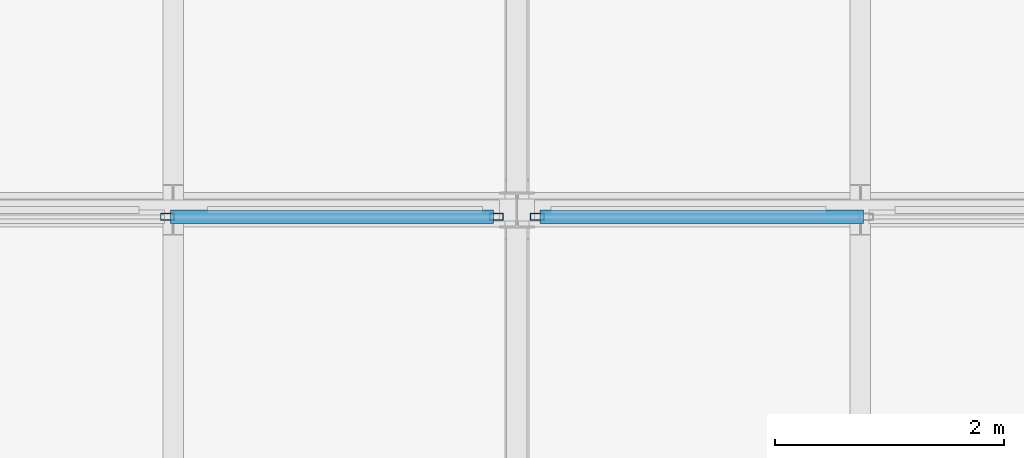
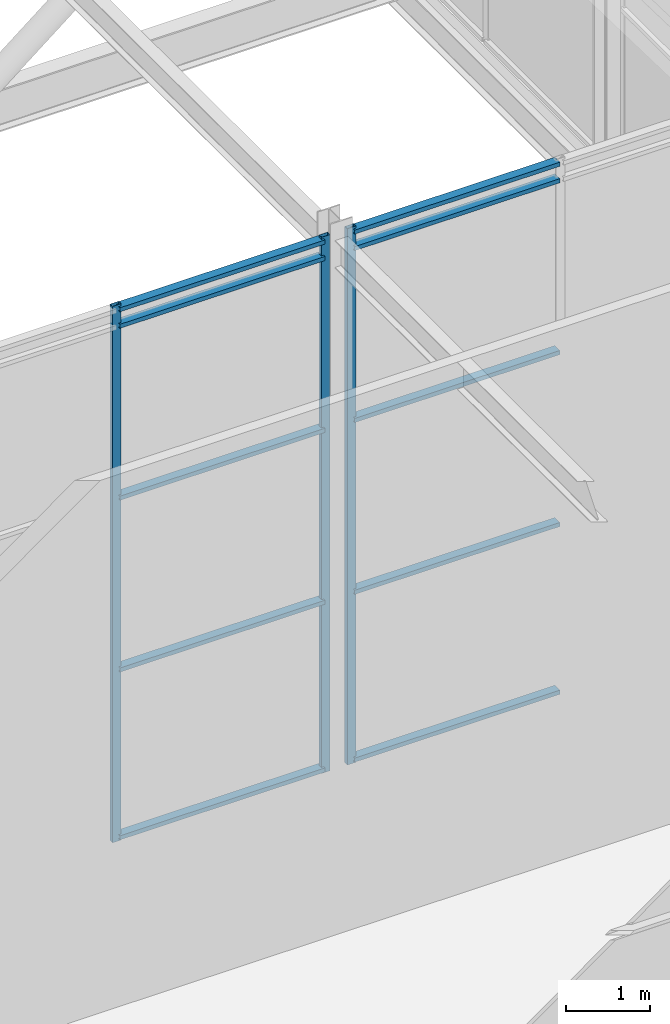
# One storey, part 57 of 144: 13 members, 2 elements without a shape of their own.
"""IFC4 building model written with IfcOpenShell, lengths in metres."""

from ifc_helpers import new_model, si_unit, direction, frame, origin, origin_2d, place, context, subcontext, project, spatial, hollow_rectangle, extrude, material, layer, layer_set, material_profile, profile_set, type_object, element, aggregate, save


model = new_model("IFC4")

# Units and contexts
model_context = context("Model", 3, precision=1e-05, world=origin(), true_north=direction((0.0, 1.0)))
body_context = subcontext(model_context, "Body", "Model", "MODEL_VIEW")
ifc_project = project(units=[si_unit("LENGTHUNIT", "METRE"), si_unit("AREAUNIT", "SQUARE_METRE"), si_unit("VOLUMEUNIT", "CUBIC_METRE"), si_unit("PLANEANGLEUNIT", "RADIAN"), si_unit("MASSUNIT", "GRAM", prefix="KILO")], contexts=[model_context])

# Site, building, storey
site_placement = place(None, origin())
site = spatial("IfcSite", under=ifc_project, at=site_placement, CompositionType="ELEMENT")
building_placement = place(site_placement, origin())
building = spatial("IfcBuilding", under=site, at=building_placement, Name="Shorebreak Coast Museum", CompositionType="ELEMENT")
storey_placement = place(building_placement, frame((0.0, 0.0, 36.0)))
storey = spatial("IfcBuildingStorey", under=building, at=storey_placement, Name="L06", CompositionType="ELEMENT", Elevation=36.0)

# Curtain wall, members
ifc_material_1 = material(Name="Aluminium", Category="aluminium")
ifc_layer = layer(ifc_material_1, 0.1201171875)
ifc_layer_set = layer_set([ifc_layer], Name="Aluminium")
curtain_wall_type = type_object("IfcCurtainWallType", Name="Atrium fire screen", PredefinedType="NOTDEFINED", material=ifc_layer_set)
curtain_wall_1_placement = place(storey_placement, origin())
curtain_wall_1 = element("IfcCurtainWall", 1, at=curtain_wall_1_placement, inside=storey, type_object=curtain_wall_type, Name="Atrium screen L06 S 82", PredefinedType="NOTDEFINED")
ifc_material_2 = material(Name="Aluminium", Category="aluminium")
ifc_material_profile_1 = material_profile(ifc_material_2, hollow_rectangle(XDim=0.06005859375, YDim=0.1201171875, WallThickness=0.00341796875, at=origin_2d()), Name="AL 120x60 RHS")
ifc_profile_set_1 = profile_set([ifc_material_profile_1], Name="Aluminium")
member_type_1 = type_object("IfcMemberType", Name="Screen mullion 50 x 120", PredefinedType="MULLION", material=ifc_profile_set_1)
member_1_placement = place(storey_placement, frame((95.94873046875, 62.93994140625, 0.0), z_axis=(0.0, 0.0, 1.0), x_axis=(0.0, 1.0, 0.0)))
member_1 = element("IfcMember", 2, at=member_1_placement, type_object=member_type_1, Name="CW5 mullion 3", PredefinedType="MULLION", context=body_context, shape_type="SweptSolid", body=[
    extrude(hollow_rectangle(XDim=0.06005859375, YDim=0.1201171875, WallThickness=0.00341796875, at=origin_2d()), origin(), (0.0, 0.0, 1.0), 7.800048828125),
])
member_2_placement = place(storey_placement, frame((98.821533203125, 62.93994140625, 0.0), z_axis=(0.0, 0.0, 1.0), x_axis=(0.0, 1.0, 0.0)))
member_2 = element("IfcMember", 3, at=member_2_placement, type_object=member_type_1, Name="CW5 mullion 4", PredefinedType="MULLION", context=body_context, shape_type="SweptSolid", body=[
    extrude(hollow_rectangle(XDim=0.06005859375, YDim=0.1201171875, WallThickness=0.00341796875, at=origin_2d()), origin(), (0.0, 0.0, 1.0), 7.800048828125),
])

# Curtain wall, member
curtain_wall_2_placement = place(storey_placement, origin())
curtain_wall_2 = element("IfcCurtainWall", 4, at=curtain_wall_2_placement, inside=storey, type_object=curtain_wall_type, Name="Atrium screen L06 S 83", PredefinedType="NOTDEFINED")
member_3_placement = place(storey_placement, frame((99.178466796875, 62.93994140625, 0.0), z_axis=(0.0, 0.0, 1.0), x_axis=(0.0, 1.0, 0.0)))
member_3 = element("IfcMember", 5, at=member_3_placement, type_object=member_type_1, Name="CW6 mullion 1", PredefinedType="MULLION", context=body_context, shape_type="SweptSolid", body=[
    extrude(hollow_rectangle(XDim=0.06005859375, YDim=0.1201171875, WallThickness=0.00341796875, at=origin_2d()), origin(), (0.0, 0.0, 1.0), 7.800048828125),
])

# Member
ifc_material_3 = material(Name="Aluminium", Category="aluminium")
ifc_material_profile_2 = material_profile(ifc_material_3, hollow_rectangle(XDim=0.1201171875, YDim=0.06005859375, WallThickness=0.00341796875, at=origin_2d()), Name="AL 60x120 RHS")
ifc_profile_set_2 = profile_set([ifc_material_profile_2], Name="Aluminium")
member_type_2 = type_object("IfcMemberType", Name="Screen transom 120 x 50", PredefinedType="USERDEFINED", material=ifc_profile_set_2)
member_4_placement = place(storey_placement, frame((95.973876953125, 62.93994140625, 0.06005859375), z_axis=(1.0, 0.0, 0.0), x_axis=(0.0, 1.0, 0.0)))
member_4 = element("IfcMember", 6, at=member_4_placement, type_object=member_type_2, Name="CW5 transom 3.1", ObjectType="TRANSOM", PredefinedType="USERDEFINED", context=body_context, shape_type="SweptSolid", body=[
    extrude(hollow_rectangle(XDim=0.1201171875, YDim=0.06005859375, WallThickness=0.00341796875, at=origin_2d()), origin(), (0.0, 0.0, 1.0), 2.822509765625),
])

member_5_placement = place(storey_placement, frame((95.973876953125, 62.93994140625, 2.5), z_axis=(1.0, 0.0, 0.0), x_axis=(0.0, 1.0, 0.0)))
member_5 = element("IfcMember", 7, at=member_5_placement, type_object=member_type_2, Name="CW5 transom 3.2", ObjectType="TRANSOM", PredefinedType="USERDEFINED", context=body_context, shape_type="SweptSolid", body=[
    extrude(hollow_rectangle(XDim=0.1201171875, YDim=0.06005859375, WallThickness=0.00341796875, at=origin_2d()), origin(), (0.0, 0.0, 1.0), 2.822509765625),
])

member_6_placement = place(storey_placement, frame((95.973876953125, 62.93994140625, 5.0), z_axis=(1.0, 0.0, 0.0), x_axis=(0.0, 1.0, 0.0)))
member_6 = element("IfcMember", 8, at=member_6_placement, type_object=member_type_2, Name="CW5 transom 3.3", ObjectType="TRANSOM", PredefinedType="USERDEFINED", context=body_context, shape_type="SweptSolid", body=[
    extrude(hollow_rectangle(XDim=0.1201171875, YDim=0.06005859375, WallThickness=0.00341796875, at=origin_2d()), origin(), (0.0, 0.0, 1.0), 2.822509765625),
])

member_7_placement = place(storey_placement, frame((95.973876953125, 62.93994140625, 7.5), z_axis=(1.0, 0.0, 0.0), x_axis=(0.0, 1.0, 0.0)))
member_7 = element("IfcMember", 9, at=member_7_placement, type_object=member_type_2, Name="CW5 transom 3.4", ObjectType="TRANSOM", PredefinedType="USERDEFINED", context=body_context, shape_type="SweptSolid", body=[
    extrude(hollow_rectangle(XDim=0.1201171875, YDim=0.06005859375, WallThickness=0.00341796875, at=origin_2d()), origin(), (0.0, 0.0, 1.0), 2.822509765625),
])

member_8_placement = place(storey_placement, frame((95.973876953125, 62.93994140625, 7.739990234375), z_axis=(1.0, 0.0, 0.0), x_axis=(0.0, 1.0, 0.0)))
member_8 = element("IfcMember", 10, at=member_8_placement, type_object=member_type_2, Name="CW5 transom 3.5", ObjectType="TRANSOM", PredefinedType="USERDEFINED", context=body_context, shape_type="SweptSolid", body=[
    extrude(hollow_rectangle(XDim=0.1201171875, YDim=0.06005859375, WallThickness=0.00341796875, at=origin_2d()), origin(), (0.0, 0.0, 1.0), 2.822509765625),
])

aggregate(curtain_wall_1, [member_1, member_2, member_4, member_5, member_6, member_7, member_8])

member_9_placement = place(storey_placement, frame((99.20361328125, 62.93994140625, 0.06005859375), z_axis=(1.0, 0.0, 0.0), x_axis=(0.0, 1.0, 0.0)))
member_9 = element("IfcMember", 11, at=member_9_placement, type_object=member_type_2, Name="CW6 transom 1.1", ObjectType="TRANSOM", PredefinedType="USERDEFINED", context=body_context, shape_type="SweptSolid", body=[
    extrude(hollow_rectangle(XDim=0.1201171875, YDim=0.06005859375, WallThickness=0.00341796875, at=origin_2d()), origin(), (0.0, 0.0, 1.0), 2.822509765625),
])

member_10_placement = place(storey_placement, frame((99.20361328125, 62.93994140625, 2.5), z_axis=(1.0, 0.0, 0.0), x_axis=(0.0, 1.0, 0.0)))
member_10 = element("IfcMember", 12, at=member_10_placement, type_object=member_type_2, Name="CW6 transom 1.2", ObjectType="TRANSOM", PredefinedType="USERDEFINED", context=body_context, shape_type="SweptSolid", body=[
    extrude(hollow_rectangle(XDim=0.1201171875, YDim=0.06005859375, WallThickness=0.00341796875, at=origin_2d()), origin(), (0.0, 0.0, 1.0), 2.822509765625),
])

member_11_placement = place(storey_placement, frame((99.20361328125, 62.93994140625, 5.0), z_axis=(1.0, 0.0, 0.0), x_axis=(0.0, 1.0, 0.0)))
member_11 = element("IfcMember", 13, at=member_11_placement, type_object=member_type_2, Name="CW6 transom 1.3", ObjectType="TRANSOM", PredefinedType="USERDEFINED", context=body_context, shape_type="SweptSolid", body=[
    extrude(hollow_rectangle(XDim=0.1201171875, YDim=0.06005859375, WallThickness=0.00341796875, at=origin_2d()), origin(), (0.0, 0.0, 1.0), 2.822509765625),
])

member_12_placement = place(storey_placement, frame((99.20361328125, 62.93994140625, 7.5), z_axis=(1.0, 0.0, 0.0), x_axis=(0.0, 1.0, 0.0)))
member_12 = element("IfcMember", 14, at=member_12_placement, type_object=member_type_2, Name="CW6 transom 1.4", ObjectType="TRANSOM", PredefinedType="USERDEFINED", context=body_context, shape_type="SweptSolid", body=[
    extrude(hollow_rectangle(XDim=0.1201171875, YDim=0.06005859375, WallThickness=0.00341796875, at=origin_2d()), origin(), (0.0, 0.0, 1.0), 2.822509765625),
])

member_13_placement = place(storey_placement, frame((99.20361328125, 62.93994140625, 7.739990234375), z_axis=(1.0, 0.0, 0.0), x_axis=(0.0, 1.0, 0.0)))
member_13 = element("IfcMember", 15, at=member_13_placement, type_object=member_type_2, Name="CW6 transom 1.5", ObjectType="TRANSOM", PredefinedType="USERDEFINED", context=body_context, shape_type="SweptSolid", body=[
    extrude(hollow_rectangle(XDim=0.1201171875, YDim=0.06005859375, WallThickness=0.00341796875, at=origin_2d()), origin(), (0.0, 0.0, 1.0), 2.822509765625),
])

aggregate(curtain_wall_2, [member_3, member_9, member_10, member_11, member_12, member_13])

save(model, "model.ifc")
